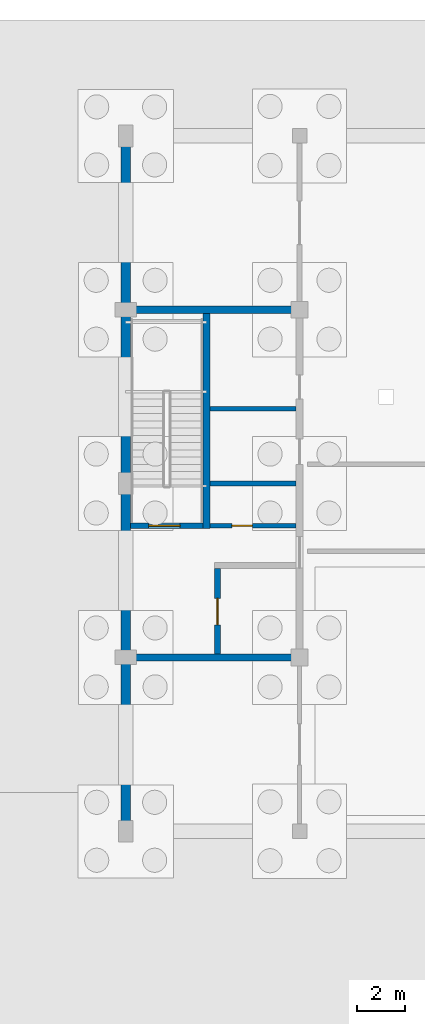
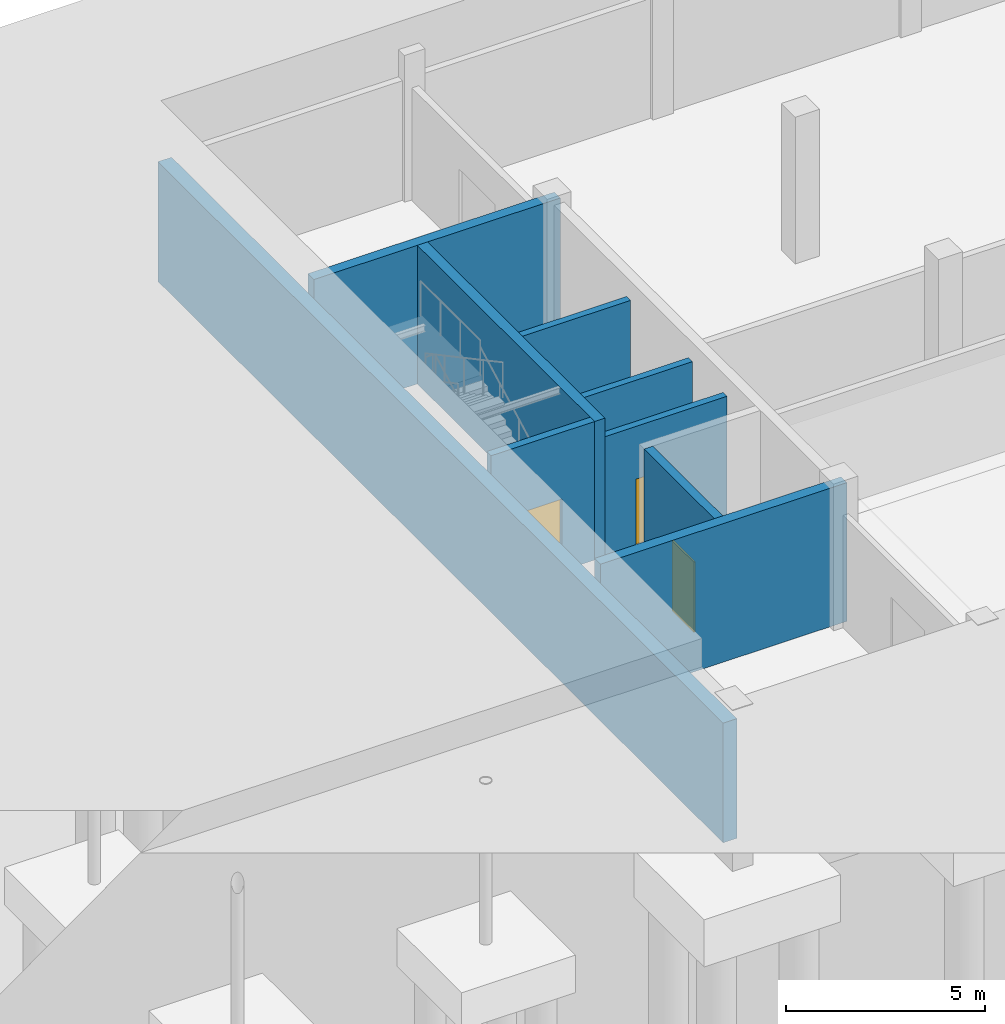
# One storey, part 29 of 51: 9 walls, 3 doors, 3 openings.
"""IFC4 building model written with IfcOpenShell, lengths in metres."""

from ifc_helpers import new_model, si_unit, direction, frame, frame_2d, origin, place, context, subcontext, project, spatial, rectangle, extrude, material, layer, layer_set, type_object, element, fill, save


model = new_model("IFC4")

# Units and contexts
model_context = context("Model", 3, precision=1e-05, world=origin(), true_north=direction((0.0, 1.0)))
body_context = subcontext(model_context, "Body", "Model", "MODEL_VIEW")
ifc_project = project(units=[si_unit("LENGTHUNIT", "METRE"), si_unit("AREAUNIT", "SQUARE_METRE"), si_unit("VOLUMEUNIT", "CUBIC_METRE"), si_unit("PLANEANGLEUNIT", "RADIAN"), si_unit("MASSUNIT", "GRAM", prefix="KILO")], contexts=[model_context])

# Site, building, storey
site_placement = place(None, origin())
site = spatial("IfcSite", under=ifc_project, at=site_placement, CompositionType="ELEMENT")
building_placement = place(site_placement, origin())
building = spatial("IfcBuilding", under=site, at=building_placement, Name="Zlatovets Crest Museum", CompositionType="ELEMENT")
storey_placement = place(building_placement, frame((0.0, 0.0, -4.5)))
storey = spatial("IfcBuildingStorey", under=building, at=storey_placement, Name="B1", CompositionType="ELEMENT", Elevation=-4.5)

# Walls
ifc_material_1 = material(Name="Concrete C35/45", Category="concrete")
ifc_layer_1 = layer(ifc_material_1, 0.300048828125)
ifc_layer_set_1 = layer_set([ifc_layer_1], Name="Concrete C35/45")
wall_type_1 = type_object("IfcWallType", Name="CoreWall_SW01", PredefinedType="SHEAR", material=ifc_layer_set_1)
for number, where, z_axis, x_axis, name in (
    (1, (57.800048828125, 93.60009765625, 0.0), (0.0, 0.0, 1.0), (1.0, 0.0, 0.0), "Core C1 B1 South Shear Wall"),
    (2, (57.800048828125, 108.0, 0.0), (0.0, 0.0, 1.0), (1.0, 0.0, 0.0), "Core C1 B1 North Shear Wall"),
):
    element("IfcWall", number, at=place(storey_placement, frame(where, z_axis=z_axis, x_axis=x_axis)), inside=storey, type_object=wall_type_1, Name=name, PredefinedType="SHEAR", context=body_context, shape_type="SweptSolid", body=[
        extrude(rectangle(XDim=7.14990234375, YDim=0.300048828125, at=frame_2d((3.574951171875, 0.0))), origin(), (0.0, 0.0, 1.0), 4.25),
    ])
wall_1_placement = place(storey_placement, frame((60.949951171875, 98.93994140625, 0.0), z_axis=(0.0, 0.0, 1.0), x_axis=(0.0, 1.0, 0.0)))
element("IfcWall", 3, at=wall_1_placement, inside=storey, type_object=wall_type_1, Name="Core C1 B1 Stair Divider Wall", PredefinedType="SHEAR", context=body_context, shape_type="SweptSolid", body=[
    extrude(rectangle(XDim=8.91015625, YDim=0.300048828125, at=frame_2d((4.455078125, 0.0))), origin(), (0.0, 0.0, 1.0), 4.25),
])

# Wall, opening, door
ifc_layer_2 = layer(ifc_material_1, 0.25)
ifc_layer_set_2 = layer_set([ifc_layer_2], Name="Concrete C35/45")
wall_type_2 = type_object("IfcWallType", Name="CoreWall_SW02", PredefinedType="SHEAR", material=ifc_layer_set_2)
wall_2_placement = place(storey_placement, frame((61.39990234375, 93.75, 0.0), z_axis=(0.0, 0.0, 1.0), x_axis=(0.0, 1.0, 0.0)))
wall_2 = element("IfcWall", 4, at=wall_2_placement, inside=storey, type_object=wall_type_2, Name="Core C1 B1 Lift Shaft Wall", PredefinedType="SHEAR", context=body_context, shape_type="SweptSolid", body=[
    extrude(rectangle(XDim=3.52490234375, YDim=0.25, at=frame_2d((1.762451171875, 0.0))), origin(), (0.0, 0.0, 1.0), 4.25),
])
opening_1_placement = place(wall_2_placement, frame((1.199951171875, 0.0, 0.0)))
opening_1 = element("IfcOpeningElement", 5, at=opening_1_placement, cuts=wall_2, Name="Opening LD-01", PredefinedType="OPENING", context=body_context, shape_type="SweptSolid", body=[
    extrude(rectangle(XDim=1.10009765625, YDim=2.14990234375, at=frame_2d((0.550048828125, 1.074951171875))), frame((0.0, 0.135009765625, 0.0), z_axis=(0.0, -1.0, 0.0), x_axis=(1.0, 0.0, 0.0)), (0.0, 0.0, 1.0), 0.27001953125),
])
ifc_material_2 = material(Name="Stainless-bronze sliding lift landing door")
door_type_1 = type_object("IfcDoorType", Name="IntDoor_LD-01", OperationType="SLIDING_TO_LEFT", PredefinedType="DOOR", material=ifc_material_2)
door_1_placement = place(opening_1_placement, origin())
door_1 = element("IfcDoor", 6, at=door_1_placement, inside=storey, type_object=door_type_1, Name="LDOOR-FL1-B1 Lift FL1 B1 Sliding Landing Door", OperationType="SLIDING_TO_LEFT", OverallHeight=2.14990234375, OverallWidth=1.10009765625, PredefinedType="DOOR", context=body_context, shape_type="SweptSolid", body=[
    extrude(rectangle(XDim=1.10009765625, YDim=2.14990234375, at=frame_2d((0.550048828125, 1.074951171875))), frame((0.0, 0.02490234375, 0.0), z_axis=(0.0, -1.0, 0.0), x_axis=(1.0, 0.0, 0.0)), (0.0, 0.0, 1.0), 0.050048828125),
])
fill(opening_1, door_1)

wall_3_placement = place(storey_placement, frame((57.800048828125, 99.050048828125, 0.0), z_axis=(0.0, 0.0, 1.0), x_axis=(1.0, 0.0, 0.0)))
wall_3 = element("IfcWall", 7, at=wall_3_placement, inside=storey, type_object=wall_type_2, Name="Core C1 B1 Stairwell Fire Wall", PredefinedType="SHEAR", context=body_context, shape_type="SweptSolid", body=[
    extrude(rectangle(XDim=3.0, YDim=0.219970703125, at=frame_2d((1.5, 0.0))), origin(), (0.0, 0.0, 1.0), 4.25),
])
opening_2_placement = place(wall_3_placement, frame((0.75, 0.0, 0.0)))
opening_2 = element("IfcOpeningElement", 8, at=opening_2_placement, cuts=wall_3, Name="Opening FD-01", PredefinedType="OPENING", context=body_context, shape_type="SweptSolid", body=[
    extrude(rectangle(XDim=1.300048828125, YDim=2.199951171875, at=frame_2d((0.64990234375, 1.10009765625))), frame((0.0, 0.1201171875, 0.0), z_axis=(0.0, -1.0, 0.0), x_axis=(1.0, 0.0, 0.0)), (0.0, 0.0, 1.0), 0.239990234375),
])
ifc_material_3 = material(Name="Smoke-sealed steel fire door", Category="steel")
door_type_2 = type_object("IfcDoorType", Name="IntDoor_FD-01", OperationType="NOTDEFINED", PredefinedType="DOOR", material=ifc_material_3)
door_2_placement = place(opening_2_placement, origin())
door_2 = element("IfcDoor", 9, at=door_2_placement, inside=storey, type_object=door_type_2, Name="SDOOR-ST1-B1 Stair ST1 B1 Fire Door", OperationType="SINGLE_SWING_LEFT", OverallHeight=2.199951171875, OverallWidth=1.300048828125, PredefinedType="DOOR", context=body_context, shape_type="SweptSolid", body=[
    extrude(rectangle(XDim=1.300048828125, YDim=2.199951171875, at=frame_2d((0.64990234375, 1.10009765625))), frame((0.0, 0.02490234375, 0.0), z_axis=(0.0, -1.0, 0.0), x_axis=(1.0, 0.0, 0.0)), (0.0, 0.0, 1.0), 0.050048828125),
])
fill(opening_2, door_2)

ifc_material_4 = material(Name="Sanitary core acoustic service wall")
ifc_layer_3 = layer(ifc_material_4, 0.219970703125)
ifc_layer_set_3 = layer_set([ifc_layer_3], Name="Sanitary core acoustic service wall")
wall_type_3 = type_object("IfcWallType", Name="PartWall_PT-04", PredefinedType="PLUMBINGWALL", material=ifc_layer_set_3)
wall_4_placement = place(storey_placement, frame((61.10009765625, 99.050048828125, 0.0), z_axis=(0.0, 0.0, 1.0), x_axis=(1.0, 0.0, 0.0)))
wall_4 = element("IfcWall", 10, at=wall_4_placement, inside=storey, type_object=wall_type_3, Name="Core C1 B1 Riser Lobby Wall", PredefinedType="PLUMBINGWALL", context=body_context, shape_type="SweptSolid", body=[
    extrude(rectangle(XDim=3.5498046875, YDim=0.199951171875, at=frame_2d((1.77490234375, 0.0))), origin(), (0.0, 0.0, 1.0), 3.669921875),
])
opening_3_placement = place(wall_4_placement, frame((0.89990234375, 0.0, 0.0)))
opening_3 = element("IfcOpeningElement", 11, at=opening_3_placement, cuts=wall_4, Name="Opening FD-03", PredefinedType="OPENING", context=body_context, shape_type="SweptSolid", body=[
    extrude(rectangle(XDim=0.85009765625, YDim=2.050048828125, at=frame_2d((0.425048828125, 1.02490234375))), frame((0.0, 0.10986328125, 0.0), z_axis=(0.0, -1.0, 0.0), x_axis=(1.0, 0.0, 0.0)), (0.0, 0.0, 1.0), 0.219970703125),
])
ifc_material_5 = material(Name="Steel riser shaft access fire door", Category="steel")
door_type_3 = type_object("IfcDoorType", Name="IntDoor_FD-03", OperationType="NOTDEFINED", PredefinedType="TRAPDOOR", material=ifc_material_5)
door_3_placement = place(opening_3_placement, origin())
door_3 = element("IfcDoor", 12, at=door_3_placement, inside=storey, type_object=door_type_3, Name="CDOOR-C1-B1-RIS Core C1 B1 Riser Access Door", OperationType="SINGLE_SWING_RIGHT", OverallHeight=2.050048828125, OverallWidth=0.85009765625, PredefinedType="TRAPDOOR", context=body_context, shape_type="SweptSolid", body=[
    extrude(rectangle(XDim=0.85009765625, YDim=2.050048828125, at=frame_2d((0.425048828125, 1.02490234375))), frame((0.0, 0.02490234375, 0.0), z_axis=(0.0, -1.0, 0.0), x_axis=(1.0, 0.0, 0.0)), (0.0, 0.0, 1.0), 0.050048828125),
])
fill(opening_3, door_3)

# Walls
for number, where, z_axis, x_axis, name in (
    (13, (61.10009765625, 100.800048828125, 0.0), (0.0, 0.0, 1.0), (1.0, 0.0, 0.0), "Core C1 B1 Sanitary Divider"),
    (14, (61.10009765625, 103.89990234375, 0.0), (0.0, 0.0, 1.0), (1.0, 0.0, 0.0), "Core C1 B1 Sanitary Divider"),
):
    element("IfcWall", number, at=place(storey_placement, frame(where, z_axis=z_axis, x_axis=x_axis)), inside=storey, type_object=wall_type_3, Name=name, PredefinedType="PLUMBINGWALL", context=body_context, shape_type="SweptSolid", body=[
        extrude(rectangle(XDim=3.5498046875, YDim=0.199951171875, at=frame_2d((1.77490234375, 0.0))), origin(), (0.0, 0.0, 1.0), 3.669921875),
    ])
ifc_layer_4 = layer(ifc_material_1, 0.39990234375)
ifc_layer_set_4 = layer_set([ifc_layer_4], Name="Concrete C35/45")
wall_type_4 = type_object("IfcWallType", Name="RetainingWall_RW01", PredefinedType="USERDEFINED", material=ifc_layer_set_4)
wall_5_placement = place(storey_placement, frame((57.60009765625, 115.0, 0.0), z_axis=(0.0, 0.0, 1.0), x_axis=(0.0, -1.0, 0.0)))
element("IfcWall", 15, at=wall_5_placement, inside=storey, type_object=wall_type_4, Name="V1 B1 Retaining Wall W", ObjectType="RETAINING WALL", PredefinedType="USERDEFINED", context=body_context, shape_type="SweptSolid", body=[
    extrude(rectangle(XDim=28.39990234375, YDim=0.39990234375, at=frame_2d((14.199951171875, 0.0))), origin(), (0.0, 0.0, 1.0), 3.669921875),
])

save(model, "model.ifc")
